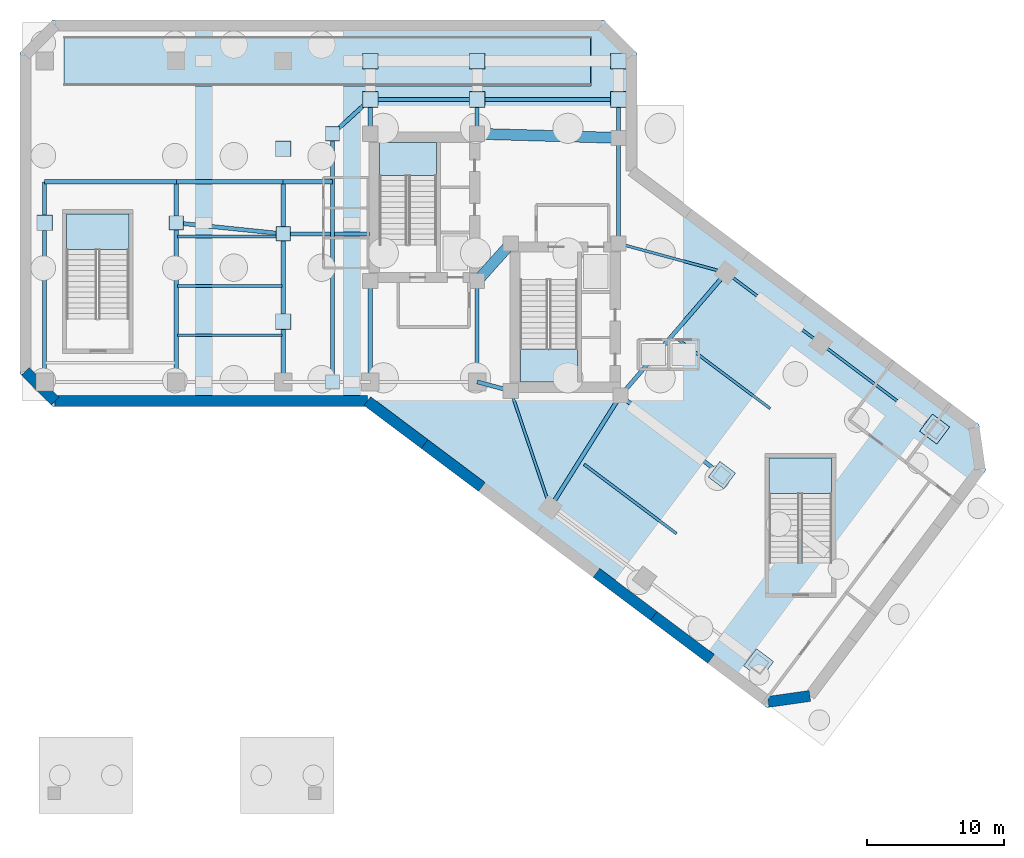
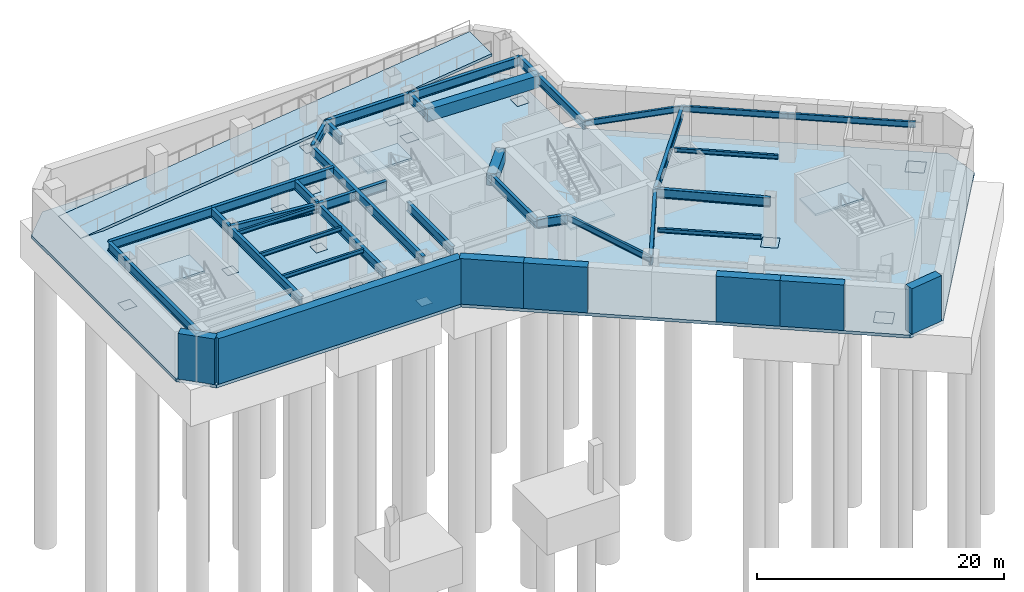
# One storey, part 2 of 9: 34 beams, 16 plates, 7 walls, 6 slabs, 4 elements without a shape of their own.
"""IFC4 building model written with IfcOpenShell, lengths in metres."""

from ifc_helpers import new_model, si_unit, direction, frame, frame_2d, origin, origin_2d, place, context, subcontext, project, spatial, polyline, rectangle, i_section, outline, extrude, material, layer, layer_set, material_profile, profile_set, type_object, element, aggregate, save


model = new_model("IFC4")

# Units and contexts
model_context = context("Model", 3, precision=1e-05, world=origin(), true_north=direction((0.0, 1.0)))
body_context = subcontext(model_context, "Body", "Model", "MODEL_VIEW")
ifc_project = project(units=[si_unit("LENGTHUNIT", "METRE"), si_unit("AREAUNIT", "SQUARE_METRE"), si_unit("VOLUMEUNIT", "CUBIC_METRE"), si_unit("PLANEANGLEUNIT", "RADIAN"), si_unit("MASSUNIT", "GRAM", prefix="KILO")], contexts=[model_context])

# Site, building, storey
site_placement = place(None, origin())
site = spatial("IfcSite", under=ifc_project, at=site_placement, CompositionType="ELEMENT")
building_placement = place(site_placement, origin())
building = spatial("IfcBuilding", under=site, at=building_placement, Name="Hatsunagi Terrace Concourse", CompositionType="ELEMENT")
storey_placement = place(building_placement, frame((0.0, 0.0, -9.60009765625)))
storey = spatial("IfcBuildingStorey", under=building, at=storey_placement, Name="B02", CompositionType="ELEMENT", Elevation=-9.60009765625)

# Beams
ifc_material_1 = material(Name="Concrete Fc60", Category="concrete")
ifc_material_profile_1 = material_profile(ifc_material_1, rectangle(XDim=0.800048828125, YDim=1.199951171875, at=origin_2d()), Name="RC-800x1200")
ifc_profile_set_1 = profile_set([ifc_material_profile_1], Name="Concrete Fc60")
beam_type_1 = type_object("IfcBeamType", Name="CoreCouplingBeam_RC_800x1200", PredefinedType="BEAM", material=ifc_profile_set_1)
beam_1_placement = place(storey_placement, frame((33.35009765625, 32.550048828125, 3.900146484375), z_axis=(0.665198651008, 0.746666427997, 0.0), x_axis=(-0.746666427997, 0.665198651008, 0.0)))
element("IfcBeam", 1, at=beam_1_placement, inside=storey, type_object=beam_type_1, Name="Beam CB-01 CB-B02-1", PredefinedType="BEAM", context=body_context, shape_type="SweptSolid", body=[
    extrude(rectangle(XDim=0.800048828125, YDim=1.199951171875, at=origin_2d()), origin(), (0.0, 0.0, 1.0), 3.68310546875),
])
beam_2_placement = place(storey_placement, frame((33.35009765625, 43.300048828125, 3.900146484375), z_axis=(0.999575947545, -0.029119153303, 0.0), x_axis=(0.029119153303, 0.999575947545, 0.0)))
element("IfcBeam", 2, at=beam_2_placement, inside=storey, type_object=beam_type_1, Name="Beam CB-01 CB-B02-2", PredefinedType="BEAM", context=body_context, shape_type="SweptSolid", body=[
    extrude(rectangle(XDim=0.800048828125, YDim=1.199951171875, at=origin_2d()), origin(), (0.0, 0.0, 1.0), 10.30419921875),
])
ifc_material_2 = material(Name="Steel SN490B", Category="steel")
ifc_material_profile_2 = material_profile(ifc_material_2, i_section(OverallWidth=0.300048828125, OverallDepth=0.89990234375, WebThickness=0.01611328125, FlangeThickness=0.028076171875, FilletRadius=0.02197265625, at=origin_2d()), Name="H-900x300x16x28")
ifc_profile_set_2 = profile_set([ifc_material_profile_2], Name="Steel SN490B")
beam_type_2 = type_object("IfcBeamType", Name="HeavyRefugeGirder_H_900x300", PredefinedType="BEAM", material=ifc_profile_set_2)
for number, where, z_axis, x_axis, name in (
    (3, (25.550048828125, 25.199951171875, 4.050048828125), (0.0, 1.0, 0.0), (-1.0, 0.0, 0.0), "Beam G-02 BM-B02-K1CA"),
    (4, (33.35009765625, 25.199951171875, 4.050048828125), (0.0, 1.0, 0.0), (-1.0, 0.0, 0.0), "Beam G-02 BM-B02-K2CA"),
):
    element("IfcBeam", number, at=place(storey_placement, frame(where, z_axis=z_axis, x_axis=x_axis)), inside=storey, type_object=beam_type_2, Name=name, PredefinedType="BEAM", context=body_context, shape_type="SweptSolid", body=[
        extrude(i_section(OverallWidth=0.300048828125, OverallDepth=0.89990234375, WebThickness=0.01611328125, FlangeThickness=0.028076171875, FilletRadius=0.02197265625, at=origin_2d()), origin(), (0.0, 0.0, 1.0), 7.35009765625),
    ])
beam_3_placement = place(storey_placement, frame((33.35009765625, 25.199951171875, 4.050048828125), z_axis=(0.966569840116, -0.256403479262, 0.0), x_axis=(0.256403479262, 0.966569840116, 0.0)))
element("IfcBeam", 5, at=beam_3_placement, inside=storey, type_object=beam_type_2, Name="Beam G-02 BM-B02-K2CB", PredefinedType="BEAM", context=body_context, shape_type="SweptSolid", body=[
    extrude(i_section(OverallWidth=0.300048828125, OverallDepth=0.89990234375, WebThickness=0.01611328125, FlangeThickness=0.028076171875, FilletRadius=0.02197265625, at=origin_2d()), origin(), (0.0, 0.0, 1.0), 2.53466796875),
])
beam_4_placement = place(storey_placement, frame((43.64990234375, 35.300048828125, 4.050048828125), z_axis=(0.0, 1.0, 0.0), x_axis=(-1.0, 0.0, 0.0)))
element("IfcBeam", 6, at=beam_4_placement, inside=storey, type_object=beam_type_2, Name="Beam G-02 BM-B02-CBK3", PredefinedType="BEAM", context=body_context, shape_type="SweptSolid", body=[
    extrude(i_section(OverallWidth=0.300048828125, OverallDepth=0.89990234375, WebThickness=0.01611328125, FlangeThickness=0.028076171875, FilletRadius=0.02197265625, at=origin_2d()), origin(), (0.0, 0.0, 1.0), 7.699951171875),
])
for number, where, z_axis, x_axis, name in (
    (7, (25.550048828125, 43.300048828125, 4.050048828125), (0.0, 1.0, 0.0), (-1.0, 0.0, 0.0), "Beam G-02 BM-B02-CN1"),
    (8, (33.35009765625, 43.300048828125, 4.050048828125), (0.0, 1.0, 0.0), (-1.0, 0.0, 0.0), "Beam G-02 BM-B02-CN2"),
):
    element("IfcBeam", number, at=place(storey_placement, frame(where, z_axis=z_axis, x_axis=x_axis)), inside=storey, type_object=beam_type_2, Name=name, PredefinedType="BEAM", context=body_context, shape_type="SweptSolid", body=[
        extrude(i_section(OverallWidth=0.300048828125, OverallDepth=0.89990234375, WebThickness=0.01611328125, FlangeThickness=0.028076171875, FilletRadius=0.02197265625, at=origin_2d()), origin(), (0.0, 0.0, 1.0), 2.5),
    ])
beam_5_placement = place(storey_placement, frame((43.64990234375, 43.0, 4.050048828125), z_axis=(0.0, 1.0, 0.0), x_axis=(-1.0, 0.0, 0.0)))
element("IfcBeam", 9, at=beam_5_placement, inside=storey, type_object=beam_type_2, Name="Beam G-02 BM-B02-CN3", PredefinedType="BEAM", context=body_context, shape_type="SweptSolid", body=[
    extrude(i_section(OverallWidth=0.300048828125, OverallDepth=0.89990234375, WebThickness=0.01611328125, FlangeThickness=0.028076171875, FilletRadius=0.02197265625, at=origin_2d()), origin(), (0.0, 0.0, 1.0), 2.800048828125),
])
beam_6_placement = place(storey_placement, frame((25.550048828125, 45.800048828125, 4.050048828125), z_axis=(1.0, 0.0, 0.0), x_axis=(0.0, 1.0, 0.0)))
element("IfcBeam", 10, at=beam_6_placement, inside=storey, type_object=beam_type_2, Name="Beam G-02 BM-B02-CNEW1", PredefinedType="BEAM", context=body_context, shape_type="SweptSolid", body=[
    extrude(i_section(OverallWidth=0.300048828125, OverallDepth=0.89990234375, WebThickness=0.01611328125, FlangeThickness=0.028076171875, FilletRadius=0.02197265625, at=origin_2d()), origin(), (0.0, 0.0, 1.0), 7.800048828125),
])
beam_7_placement = place(storey_placement, frame((33.35009765625, 45.800048828125, 4.050048828125), z_axis=(1.0, 0.0, 0.0), x_axis=(0.0, 1.0, 0.0)))
element("IfcBeam", 11, at=beam_7_placement, inside=storey, type_object=beam_type_2, Name="Beam G-02 BM-B02-CNEW2", PredefinedType="BEAM", context=body_context, shape_type="SweptSolid", body=[
    extrude(i_section(OverallWidth=0.300048828125, OverallDepth=0.89990234375, WebThickness=0.01611328125, FlangeThickness=0.028076171875, FilletRadius=0.02197265625, at=origin_2d()), origin(), (0.0, 0.0, 1.0), 10.2998046875),
])
beam_8_placement = place(storey_placement, frame((22.800048828125, 25.199951171875, 4.050048828125), z_axis=(0.0, 1.0, 0.0), x_axis=(-1.0, 0.0, 0.0)))
element("IfcBeam", 12, at=beam_8_placement, inside=storey, type_object=beam_type_2, Name="Beam G-02 BM-B02-CWNS", PredefinedType="BEAM", context=body_context, shape_type="SweptSolid", body=[
    extrude(i_section(OverallWidth=0.300048828125, OverallDepth=0.89990234375, WebThickness=0.01611328125, FlangeThickness=0.028076171875, FilletRadius=0.02197265625, at=origin_2d()), origin(), (0.0, 0.0, 1.0), 18.10009765625),
])
beam_9_placement = place(storey_placement, frame((22.800048828125, 43.300048828125, 4.050048828125), z_axis=(0.739940073396, 0.672672793996, 0.0), x_axis=(-0.672672793996, 0.739940073396, 0.0)))
element("IfcBeam", 13, at=beam_9_placement, inside=storey, type_object=beam_type_2, Name="Beam G-02 BM-B02-CWEW-N", PredefinedType="BEAM", context=body_context, shape_type="SweptSolid", body=[
    extrude(i_section(OverallWidth=0.300048828125, OverallDepth=0.89990234375, WebThickness=0.01611328125, FlangeThickness=0.028076171875, FilletRadius=0.02197265625, at=origin_2d()), origin(), (0.0, 0.0, 1.0), 3.716552734375),
])
beam_10_placement = place(storey_placement, frame((1.800048828125, 39.800048828125, 4.050048828125), z_axis=(1.0, 0.0, 0.0), x_axis=(0.0, 1.0, 0.0)))
element("IfcBeam", 14, at=beam_10_placement, inside=storey, type_object=beam_type_2, Name="Beam G-02 BM-B02-RTRIM-1", PredefinedType="BEAM", context=body_context, shape_type="SweptSolid", body=[
    extrude(i_section(OverallWidth=0.300048828125, OverallDepth=0.89990234375, WebThickness=0.01611328125, FlangeThickness=0.028076171875, FilletRadius=0.02197265625, at=origin_2d()), origin(), (0.0, 0.0, 1.0), 9.599853515625),
])
beam_11_placement = place(storey_placement, frame((11.39990234375, 39.800048828125, 4.050048828125), z_axis=(1.0, 0.0, 0.0), x_axis=(0.0, 1.0, 0.0)))
element("IfcBeam", 15, at=beam_11_placement, inside=storey, type_object=beam_type_2, Name="Beam G-02 BM-B02-RTRIM-2", PredefinedType="BEAM", context=body_context, shape_type="SweptSolid", body=[
    extrude(i_section(OverallWidth=0.300048828125, OverallDepth=0.89990234375, WebThickness=0.01611328125, FlangeThickness=0.028076171875, FilletRadius=0.02197265625, at=origin_2d()), origin(), (0.0, 0.0, 1.0), 7.800048828125),
])
beam_12_placement = place(storey_placement, frame((19.199951171875, 39.800048828125, 4.050048828125), z_axis=(1.0, 0.0, 0.0), x_axis=(0.0, 1.0, 0.0)))
element("IfcBeam", 16, at=beam_12_placement, inside=storey, type_object=beam_type_2, Name="Beam G-02 BM-B02-RTRIM-3", PredefinedType="BEAM", context=body_context, shape_type="SweptSolid", body=[
    extrude(i_section(OverallWidth=0.300048828125, OverallDepth=0.89990234375, WebThickness=0.01611328125, FlangeThickness=0.028076171875, FilletRadius=0.02197265625, at=origin_2d()), origin(), (0.0, 0.0, 1.0), 3.60009765625),
])
for number, where, z_axis, x_axis, name in (
    (17, (1.800048828125, 25.199951171875, 4.050048828125), (0.0, 1.0, 0.0), (-1.0, 0.0, 0.0), "Beam G-02 BM-B02-RNS-1"),
    (18, (11.39990234375, 25.199951171875, 4.050048828125), (0.0, 1.0, 0.0), (-1.0, 0.0, 0.0), "Beam G-02 BM-B02-RNS-11"),
    (19, (19.199951171875, 25.199951171875, 4.050048828125), (0.0, 1.0, 0.0), (-1.0, 0.0, 0.0), "Beam G-02 BM-B02-RNS-19"),
):
    element("IfcBeam", number, at=place(storey_placement, frame(where, z_axis=z_axis, x_axis=x_axis)), inside=storey, type_object=beam_type_2, Name=name, PredefinedType="BEAM", context=body_context, shape_type="SweptSolid", body=[
        extrude(i_section(OverallWidth=0.300048828125, OverallDepth=0.89990234375, WebThickness=0.01611328125, FlangeThickness=0.028076171875, FilletRadius=0.02197265625, at=origin_2d()), origin(), (0.0, 0.0, 1.0), 14.60009765625),
    ])
beam_13_placement = place(storey_placement, frame((11.39990234375, 36.800048828125, 4.050048828125), z_axis=(0.994780871372, -0.102034395927, 0.0), x_axis=(0.102034395927, 0.994780871372, 0.0)))
element("IfcBeam", 20, at=beam_13_placement, inside=storey, type_object=beam_type_2, Name="Beam G-02 BM-B02-EW-2", PredefinedType="BEAM", context=body_context, shape_type="SweptSolid", body=[
    extrude(i_section(OverallWidth=0.300048828125, OverallDepth=0.89990234375, WebThickness=0.01611328125, FlangeThickness=0.028076171875, FilletRadius=0.02197265625, at=origin_2d()), origin(), (0.0, 0.0, 1.0), 7.841064453125),
])
beam_14_placement = place(storey_placement, frame((19.199951171875, 36.0, 4.050048828125), z_axis=(1.0, 0.0, 0.0), x_axis=(0.0, 1.0, 0.0)))
element("IfcBeam", 21, at=beam_14_placement, inside=storey, type_object=beam_type_2, Name="Beam G-02 BM-B02-EW-3", PredefinedType="BEAM", context=body_context, shape_type="SweptSolid", body=[
    extrude(i_section(OverallWidth=0.300048828125, OverallDepth=0.89990234375, WebThickness=0.01611328125, FlangeThickness=0.028076171875, FilletRadius=0.02197265625, at=origin_2d()), origin(), (0.0, 0.0, 1.0), 3.449951171875),
])
beam_15_placement = place(storey_placement, frame((22.949951171875, 36.0, 4.050048828125), z_axis=(1.0, 0.0, 0.0), x_axis=(0.0, 1.0, 0.0)))
element("IfcBeam", 22, at=beam_15_placement, inside=storey, type_object=beam_type_2, Name="Beam G-02 BM-B02-EW-4", PredefinedType="BEAM", context=body_context, shape_type="SweptSolid", body=[
    extrude(i_section(OverallWidth=0.300048828125, OverallDepth=0.89990234375, WebThickness=0.01611328125, FlangeThickness=0.028076171875, FilletRadius=0.02197265625, at=origin_2d()), origin(), (0.0, 0.0, 1.0), 2.56005859375),
])
beam_16_placement = place(storey_placement, frame((38.679931640625, 16.0400390625, 4.050048828125), z_axis=(0.531503907049, 0.847055840421, 0.0), x_axis=(-0.847055840421, 0.531503907049, 0.0)))
element("IfcBeam", 23, at=beam_16_placement, inside=storey, type_object=beam_type_2, Name="Beam G-02 BM-B02-SET-1A", PredefinedType="BEAM", context=body_context, shape_type="SweptSolid", body=[
    extrude(i_section(OverallWidth=0.300048828125, OverallDepth=0.89990234375, WebThickness=0.01611328125, FlangeThickness=0.028076171875, FilletRadius=0.02197265625, at=origin_2d()), origin(), (0.0, 0.0, 1.0), 9.63330078125),
])
beam_17_placement = place(storey_placement, frame((43.800048828125, 24.199951171875, 4.050048828125), z_axis=(0.652739101421, 0.757582777969, 0.0), x_axis=(-0.757582777969, 0.652739101421, 0.0)))
element("IfcBeam", 24, at=beam_17_placement, inside=storey, type_object=beam_type_2, Name="Beam G-02 BM-B02-SET-1B", PredefinedType="BEAM", context=body_context, shape_type="SweptSolid", body=[
    extrude(i_section(OverallWidth=0.300048828125, OverallDepth=0.89990234375, WebThickness=0.01611328125, FlangeThickness=0.028076171875, FilletRadius=0.02197265625, at=origin_2d()), origin(), (0.0, 0.0, 1.0), 11.8271484375),
])
beam_18_placement = place(storey_placement, frame((43.800048828125, 24.199951171875, 4.050048828125), z_axis=(0.787049441068, -0.616889923175, 0.0), x_axis=(0.616889923175, 0.787049441068, 0.0)))
element("IfcBeam", 25, at=beam_18_placement, inside=storey, type_object=beam_type_2, Name="Beam G-02 BM-B02-SE-M2", PredefinedType="BEAM", context=body_context, shape_type="SweptSolid", body=[
    extrude(i_section(OverallWidth=0.300048828125, OverallDepth=0.89990234375, WebThickness=0.01611328125, FlangeThickness=0.028076171875, FilletRadius=0.02197265625, at=origin_2d()), origin(), (0.0, 0.0, 1.0), 9.402099609375),
])
ifc_material_3 = material(Name="Steel SN490B", Category="steel")
ifc_material_profile_3 = material_profile(ifc_material_3, i_section(OverallWidth=0.199951171875, OverallDepth=0.60009765625, WebThickness=0.010986328125, FlangeThickness=0.01708984375, FilletRadius=0.01806640625, at=origin_2d()), Name="H-600x200x11x17")
ifc_profile_set_3 = profile_set([ifc_material_profile_3], Name="Steel SN490B")
beam_type_3 = type_object("IfcBeamType", Name="PerimeterSpandrel_H_600x200", PredefinedType="SPANDREL", material=ifc_profile_set_3)
beam_19_placement = place(storey_placement, frame((35.800048828125, 24.550048828125, 4.2001953125), z_axis=(0.320553412271, -0.947230441805, 0.0), x_axis=(0.947230441805, 0.320553412271, 0.0)))
element("IfcBeam", 26, at=beam_19_placement, inside=storey, type_object=beam_type_3, Name="Beam SP-01 BM-B02-SE-SW0", PredefinedType="SPANDREL", context=body_context, shape_type="SweptSolid", body=[
    extrude(i_section(OverallWidth=0.199951171875, OverallDepth=0.60009765625, WebThickness=0.010986328125, FlangeThickness=0.01708984375, FilletRadius=0.01806640625, at=origin_2d()), origin(), (0.0, 0.0, 1.0), 8.984130859375),
])
beam_20_placement = place(storey_placement, frame((43.64990234375, 35.300048828125, 4.2001953125), z_axis=(0.964958359286, -0.262403057994, 0.0), x_axis=(0.262403057994, 0.964958359286, 0.0)))
element("IfcBeam", 27, at=beam_20_placement, inside=storey, type_object=beam_type_3, Name="Beam SP-01 BM-B02-SE-NE0", PredefinedType="SPANDREL", context=body_context, shape_type="SweptSolid", body=[
    extrude(i_section(OverallWidth=0.199951171875, OverallDepth=0.60009765625, WebThickness=0.010986328125, FlangeThickness=0.01708984375, FilletRadius=0.01806640625, at=origin_2d()), origin(), (0.0, 0.0, 1.0), 8.156005859375),
])
beam_21_placement = place(storey_placement, frame((51.52001953125, 33.159912109375, 4.2001953125), z_axis=(0.8, -0.6, 0.0), x_axis=(0.6, 0.8, 0.0)))
element("IfcBeam", 28, at=beam_21_placement, inside=storey, type_object=beam_type_3, Name="Beam SP-01 BM-B02-SE-NE2", PredefinedType="SPANDREL", context=body_context, shape_type="SweptSolid", body=[
    extrude(i_section(OverallWidth=0.199951171875, OverallDepth=0.60009765625, WebThickness=0.010986328125, FlangeThickness=0.01708984375, FilletRadius=0.01806640625, at=origin_2d()), origin(), (0.0, 0.0, 1.0), 8.599853515625),
])
beam_22_placement = place(storey_placement, frame((58.39990234375, 28.0, 4.2001953125), z_axis=(0.800002816985, -0.599996244001, 0.0), x_axis=(0.599996244001, 0.800002816985, 0.0)))
element("IfcBeam", 29, at=beam_22_placement, inside=storey, type_object=beam_type_3, Name="Beam SP-01 BM-B02-SE-NE3", PredefinedType="SPANDREL", context=body_context, shape_type="SweptSolid", body=[
    extrude(i_section(OverallWidth=0.199951171875, OverallDepth=0.60009765625, WebThickness=0.010986328125, FlangeThickness=0.01708984375, FilletRadius=0.01806640625, at=origin_2d()), origin(), (0.0, 0.0, 1.0), 10.400146484375),
])
ifc_material_4 = material(Name="Steel SN490B", Category="steel")
ifc_material_profile_4 = material_profile(ifc_material_4, i_section(OverallWidth=0.199951171875, OverallDepth=0.39990234375, WebThickness=0.008056640625, FlangeThickness=0.012939453125, FilletRadius=0.012939453125, at=origin_2d()), Name="H-400x200x8x13")
ifc_profile_set_4 = profile_set([ifc_material_profile_4], Name="Steel SN490B")
beam_type_4 = type_object("IfcBeamType", Name="PodiumJoist_H_400x200", PredefinedType="JOIST", material=ifc_profile_set_4)
for number, where, z_axis, x_axis, name in (
    (30, (11.485107421875, 28.60009765625, 4.300048828125), (1.0, 0.0, 0.0), (0.0, 1.0, 0.0), "Beam J-01 J-B02-W-11-286"),
    (31, (11.485107421875, 32.199951171875, 4.300048828125), (1.0, 0.0, 0.0), (0.0, 1.0, 0.0), "Beam J-01 J-B02-W-11-322"),
    (32, (11.485107421875, 35.800048828125, 4.300048828125), (1.0, 0.0, 0.0), (0.0, 1.0, 0.0), "Beam J-01 J-B02-W-11-358"),
):
    element("IfcBeam", number, at=place(storey_placement, frame(where, z_axis=z_axis, x_axis=x_axis)), inside=storey, type_object=beam_type_4, Name=name, PredefinedType="JOIST", context=body_context, shape_type="SweptSolid", body=[
        extrude(i_section(OverallWidth=0.199951171875, OverallDepth=0.39990234375, WebThickness=0.008056640625, FlangeThickness=0.012939453125, FilletRadius=0.012939453125, at=origin_2d()), origin(), (0.0, 0.0, 1.0), 7.6298828125),
    ])
for number, where, z_axis, x_axis, name in (
    (33, (41.14794921875, 19.18896484375, 4.300048828125), (0.800013900983, -0.599981464909, 0.0), (0.599981464909, 0.800013900983, 0.0), "Beam J-01 J-B02-SE-2-62"),
    (34, (47.988037109375, 28.30908203125, 4.300048828125), (0.799989573921, -0.600013901187, 0.0), (0.600013901187, 0.799989573921, 0.0), "Beam J-01 J-B02-SE-2-176"),
):
    element("IfcBeam", number, at=place(storey_placement, frame(where, z_axis=z_axis, x_axis=x_axis)), inside=storey, type_object=beam_type_4, Name=name, PredefinedType="JOIST", context=body_context, shape_type="SweptSolid", body=[
        extrude(i_section(OverallWidth=0.199951171875, OverallDepth=0.39990234375, WebThickness=0.008056640625, FlangeThickness=0.012939453125, FilletRadius=0.012939453125, at=origin_2d()), origin(), (0.0, 0.0, 1.0), 8.429931640625),
    ])

# Slab
ifc_material_5 = material(Name="Concrete Fc42", Category="concrete")
ifc_layer_1 = layer(ifc_material_5, 0.300048828125)
ifc_layer_set_1 = layer_set([ifc_layer_1], Name="BasementBaseSlab_Fc42_300")
slab_type_1 = type_object("IfcSlabType", Name="BasementBaseSlab_Fc42_300", PredefinedType="BASESLAB", material=ifc_layer_set_1)
slab_1_placement = place(storey_placement, frame((0.0, 0.0, -0.2998046875)))
element("IfcSlab", 35, at=slab_1_placement, inside=storey, type_object=slab_type_1, Name="Floor Slab SL-B300 B02", PredefinedType="BASESLAB", context=body_context, shape_type="SweptSolid", body=[
    extrude(outline(polyline([(45.0, 40.800048828125), (45.0, 49.199951171875), (42.60009765625, 51.60009765625), (2.39990234375, 51.60009765625), (0.0, 49.199951171875), (0.0, 25.800048828125), (2.39990234375, 23.39990234375), (25.199951171875, 23.39990234375), (54.47998046875, 1.43994140625), (57.840087890625, 1.919921875), (70.43994140625, 18.719970703125), (69.9599609375, 22.080078125), (45.0, 40.800048828125)])), origin(), (0.0, 0.0, 1.0), 0.2998046875),
])

# Plates
ifc_material_6 = material(Name="Steel SN490C", Category="steel")
ifc_layer_2 = layer(ifc_material_6, 0.031982421875)
ifc_layer_set_2 = layer_set([ifc_layer_2], Name="ColumnEndCapPlate_32")
plate_type = type_object("IfcPlateType", Name="ColumnEndCapPlate_32", PredefinedType="USERDEFINED", material=ifc_layer_set_2)
for number, where, z_axis, x_axis, name in (
    (36, (25.550048828125, 45.800048828125, -0.03173828125), (0.0, 0.0, 1.0), (1.0, 0.0, 0.0), "Hollow Column Base Cap Plate GP-03 B02-CN1"),
    (37, (33.35009765625, 45.800048828125, -0.03173828125), (0.0, 0.0, 1.0), (1.0, 0.0, 0.0), "Hollow Column Base Cap Plate GP-03 B02-CN2"),
    (38, (43.64990234375, 45.800048828125, -0.03173828125), (0.0, 0.0, 1.0), (1.0, 0.0, 0.0), "Hollow Column Base Cap Plate GP-03 B02-CN3"),
    (39, (1.800048828125, 36.800048828125, -0.03173828125), (0.0, 0.0, 1.0), (1.0, 0.0, 0.0), "Hollow Column Base Cap Plate GP-03 B02-WM0"),
    (40, (25.550048828125, 48.60009765625, -0.03173828125), (0.0, 0.0, 1.0), (1.0, 0.0, 0.0), "Hollow Column Base Cap Plate GP-03 B02-WN4"),
    (41, (33.35009765625, 48.60009765625, -0.03173828125), (0.0, 0.0, 1.0), (1.0, 0.0, 0.0), "Hollow Column Base Cap Plate GP-03 B02-WN5"),
    (42, (43.64990234375, 48.60009765625, -0.03173828125), (0.0, 0.0, 1.0), (1.0, 0.0, 0.0), "Hollow Column Base Cap Plate GP-03 B02-WN6"),
    (43, (19.199951171875, 29.60009765625, -0.03173828125), (0.0, 0.0, 1.0), (1.0, 0.0, 0.0), "Hollow Column Base Cap Plate GP-03 B02-WR1"),
    (44, (19.199951171875, 42.199951171875, -0.03173828125), (0.0, 0.0, 1.0), (1.0, 0.0, 0.0), "Hollow Column Base Cap Plate GP-03 B02-WR2"),
):
    element("IfcPlate", number, at=place(storey_placement, frame(where, z_axis=z_axis, x_axis=x_axis)), inside=storey, type_object=plate_type, Name=name, ObjectType="GUSSET_PLATE", PredefinedType="USERDEFINED", context=body_context, shape_type="SweptSolid", body=[
        extrude(rectangle(XDim=1.139892578125, YDim=1.139892578125, at=origin_2d()), origin(), (0.0, 0.0, 1.0), 0.031982421875),
    ])
for number, where, z_axis, x_axis, name in (
    (45, (22.800048828125, 25.199951171875, -0.03173828125), (0.0, 0.0, 1.0), (1.0, 0.0, 0.0), "Hollow Column Base Cap Plate GP-03 B02-CW1"),
    (46, (22.800048828125, 43.300048828125, -0.03173828125), (0.0, 0.0, 1.0), (1.0, 0.0, 0.0), "Hollow Column Base Cap Plate GP-03 B02-CW2"),
    (47, (11.39990234375, 36.800048828125, -0.03173828125), (0.0, 0.0, 1.0), (1.0, 0.0, 0.0), "Hollow Column Base Cap Plate GP-03 B02-WT1"),
    (48, (19.199951171875, 36.0, -0.03173828125), (0.0, 0.0, 1.0), (1.0, 0.0, 0.0), "Hollow Column Base Cap Plate GP-03 B02-WT2"),
):
    element("IfcPlate", number, at=place(storey_placement, frame(where, z_axis=z_axis, x_axis=x_axis)), inside=storey, type_object=plate_type, Name=name, ObjectType="GUSSET_PLATE", PredefinedType="USERDEFINED", context=body_context, shape_type="SweptSolid", body=[
        extrude(rectangle(XDim=1.0400390625, YDim=1.0400390625, at=origin_2d()), origin(), (0.0, 0.0, 1.0), 0.031982421875),
    ])
plate_placement = place(storey_placement, frame((51.199951171875, 18.39990234375, -0.03173828125), z_axis=(0.0, 0.0, 1.0), x_axis=(0.799999996291, -0.600000004945, 0.0)))
element("IfcPlate", 49, at=plate_placement, inside=storey, type_object=plate_type, Name="Hollow Column Base Cap Plate GP-03 B02-SEM2", ObjectType="GUSSET_PLATE", PredefinedType="USERDEFINED", context=body_context, shape_type="SweptSolid", body=[
    extrude(rectangle(XDim=1.419921875, YDim=1.419921875, at=origin_2d()), origin(), (0.0, 0.0, 1.0), 0.031982421875),
])
for number, where, z_axis, x_axis, name in (
    (50, (53.8798828125, 4.639892578125, -0.03173828125), (0.0, 0.0, 1.0), (0.799999996291, -0.600000004945, 0.0), "Hollow Column Base Cap Plate GP-03 B02-SES3"),
    (51, (66.719970703125, 21.760009765625, -0.03173828125), (0.0, 0.0, 1.0), (0.799999996291, -0.600000004945, 0.0), "Hollow Column Base Cap Plate GP-03 B02-SEN3"),
):
    element("IfcPlate", number, at=place(storey_placement, frame(where, z_axis=z_axis, x_axis=x_axis)), inside=storey, type_object=plate_type, Name=name, ObjectType="GUSSET_PLATE", PredefinedType="USERDEFINED", context=body_context, shape_type="SweptSolid", body=[
        extrude(rectangle(XDim=1.56201171875, YDim=1.56201171875, at=origin_2d()), origin(), (0.0, 0.0, 1.0), 0.031982421875),
    ])

# Stair, slab
ifc_material_7 = material(Name="Concrete Fc42", Category="concrete")
stair_type_1 = type_object("IfcStairType", Name="DoglegExitStair_Podium2200_28R_171", PredefinedType="HALF_TURN_STAIR", material=ifc_material_7)
stair_1_placement = place(storey_placement, origin())
stair_1 = element("IfcStair", 52, at=stair_1_placement, inside=storey, type_object=stair_type_1, Name="B02 West Podium Convention Exit Stair ST-P1", PredefinedType="HALF_TURN_STAIR")
ifc_material_8 = material(Name="Concrete Fc42", Category="concrete")
ifc_layer_3 = layer(ifc_material_8, 0.199951171875)
ifc_layer_set_3 = layer_set([ifc_layer_3], Name="DoglegStairLanding_Podium2200")
slab_type_2 = type_object("IfcSlabType", Name="DoglegStairLanding_Podium2200", PredefinedType="LANDING", material=ifc_layer_set_3)
slab_2_placement = place(storey_placement, frame((0.0, 0.0, 2.2001953125)))
slab_2 = element("IfcSlab", 53, at=slab_2_placement, type_object=slab_type_2, Name="ST-P1 landing 1", PredefinedType="LANDING", context=body_context, shape_type="SweptSolid", body=[
    extrude(outline(polyline([(7.949951171875, 34.8701171875), (7.949951171875, 37.4599609375), (3.39990234375, 37.4599609375), (3.39990234375, 34.8701171875), (7.949951171875, 34.8701171875)])), origin(), (0.0, 0.0, 1.0), 0.199951171875),
])
aggregate(stair_1, [slab_2])

stair_2_placement = place(storey_placement, origin())
stair_2 = element("IfcStair", 54, at=stair_2_placement, inside=storey, type_object=stair_type_1, Name="B02 Southeast Podium Ballroom Exit Stair ST-P2", PredefinedType="HALF_TURN_STAIR")
slab_3_placement = place(storey_placement, frame((0.0, 0.0, 2.2001953125)))
slab_3 = element("IfcSlab", 55, at=slab_3_placement, type_object=slab_type_2, Name="ST-P2 landing 1", PredefinedType="LANDING", context=body_context, shape_type="SweptSolid", body=[
    extrude(outline(polyline([(59.199951171875, 17.070068359375), (59.199951171875, 19.659912109375), (54.64990234375, 19.659912109375), (54.64990234375, 17.070068359375), (59.199951171875, 17.070068359375)])), origin(), (0.0, 0.0, 1.0), 0.199951171875),
])
aggregate(stair_2, [slab_3])

ifc_material_9 = material(Name="Concrete Fc42", Category="concrete")
stair_type_2 = type_object("IfcStairType", Name="DoglegExitStair_Tower2000_28R_171", PredefinedType="HALF_TURN_STAIR", material=ifc_material_9)
stair_3_placement = place(storey_placement, origin())
stair_3 = element("IfcStair", 56, at=stair_3_placement, inside=storey, type_object=stair_type_2, Name="B02 Core A Protected Exit Stair ST-A", PredefinedType="HALF_TURN_STAIR")
ifc_material_10 = material(Name="Concrete Fc42", Category="concrete")
ifc_layer_4 = layer(ifc_material_10, 0.199951171875)
ifc_layer_set_4 = layer_set([ifc_layer_4], Name="DoglegStairLanding_Tower2000")
slab_type_3 = type_object("IfcSlabType", Name="DoglegStairLanding_Tower2000", PredefinedType="LANDING", material=ifc_layer_set_4)
slab_4_placement = place(storey_placement, frame((0.0, 0.0, 2.2001953125)))
slab_4 = element("IfcSlab", 57, at=slab_4_placement, type_object=slab_type_3, Name="ST-A landing 1", PredefinedType="LANDING", context=body_context, shape_type="SweptSolid", body=[
    extrude(outline(polyline([(30.3798828125, 40.27001953125), (30.3798828125, 42.659912109375), (26.22998046875, 42.659912109375), (26.22998046875, 40.27001953125), (30.3798828125, 40.27001953125)])), origin(), (0.0, 0.0, 1.0), 0.199951171875),
])
aggregate(stair_3, [slab_4])

stair_4_placement = place(storey_placement, origin())
stair_4 = element("IfcStair", 58, at=stair_4_placement, inside=storey, type_object=stair_type_2, Name="B02 Core B Protected Exit Stair ST-B", PredefinedType="HALF_TURN_STAIR")
slab_5_placement = place(storey_placement, frame((0.0, 0.0, 2.2001953125)))
slab_5 = element("IfcSlab", 59, at=slab_5_placement, type_object=slab_type_3, Name="ST-B landing 1", PredefinedType="LANDING", context=body_context, shape_type="SweptSolid", body=[
    extrude(outline(polyline([(36.5, 27.590087890625), (36.5, 25.199951171875), (40.64990234375, 25.199951171875), (40.64990234375, 27.590087890625), (36.5, 27.590087890625)])), origin(), (0.0, 0.0, 1.0), 0.199951171875),
])
aggregate(stair_4, [slab_5])

# Slab
ifc_material_11 = material(Name="Concrete Fc42", Category="concrete")
ifc_layer_5 = layer(ifc_material_11, 0.280029296875)
ifc_layer_set_5 = layer_set([ifc_layer_5], Name="VehicleRampStructuralSlab-Concrete-Fc42-280")
slab_type_4 = type_object("IfcSlabType", Name="VehicleRampStructuralSlab-Concrete-Fc42-280", PredefinedType="FLOOR", material=ifc_layer_set_5)
slab_6_placement = place(storey_placement, frame((3.199951171875, 46.800048828125, 0.0), z_axis=(-0.124035511046, 0.0, 0.992277779656), x_axis=(0.992277779656, 0.0, 0.124035511046)))
element("IfcSlab", 60, at=slab_6_placement, inside=storey, type_object=slab_type_4, Name="Car Park Vehicle Ramp R1 Structural Slab Concrete Fc42 B02-B01", PredefinedType="FLOOR", context=body_context, shape_type="SweptSolid", body=[
    extrude(outline(polyline([(0.0, 0.0), (38.69898860143301, 0.0), (38.69898860143301, 3.599853515625001), (0.0, 3.599853515625001), (0.0, 0.0)])), origin(), (0.0, 0.0, -1.0), 0.280029296875),
])

# Walls
ifc_material_12 = material(Name="Concrete Fc48", Category="concrete")
ifc_layer_6 = layer(ifc_material_12, 0.800048828125)
ifc_layer_set_6 = layer_set([ifc_layer_6], Name="BasementRetainingWall_Fc48_800")
wall_type = type_object("IfcWallType", Name="BasementRetainingWall_Fc48_800", PredefinedType="SHEAR", material=ifc_layer_set_6)
wall_1_placement = place(storey_placement, frame((57.618896484375, 2.29296875, 0.0), z_axis=(0.0, 0.0, 1.0), x_axis=(-0.989906404935, -0.141722649809, 0.0)))
element("IfcWall", 61, at=wall_1_placement, inside=storey, type_object=wall_type, Name="Basement Retaining Wall B02-04", PredefinedType="SHEAR", context=body_context, shape_type="SweptSolid", body=[
    extrude(rectangle(XDim=3.06298828125, YDim=0.800048828125, at=frame_2d((1.531494140625, 0.0))), origin(), (0.0, 0.0, 1.0), 4.5),
])
wall_2_placement = place(storey_placement, frame((50.407958984375, 4.992919921875, 0.0), z_axis=(0.0, 0.0, 1.0), x_axis=(-0.799927090767, 0.600097200008, 0.0)))
element("IfcWall", 62, at=wall_2_placement, inside=storey, type_object=wall_type, Name="Basement Retaining Wall B02-05-2", PredefinedType="SHEAR", context=body_context, shape_type="SweptSolid", body=[
    extrude(rectangle(XDim=5.22412109375, YDim=0.800048828125, at=frame_2d((2.612060546875, 0.0))), origin(), (0.0, 0.0, 1.0), 4.5),
])
wall_3_placement = place(storey_placement, frame((46.22900390625, 8.1279296875, 0.0), z_axis=(0.0, 0.0, 1.0), x_axis=(-0.800016825418, 0.599977565455, 0.0)))
element("IfcWall", 63, at=wall_3_placement, inside=storey, type_object=wall_type, Name="Basement Retaining Wall B02-05-3", PredefinedType="SHEAR", context=body_context, shape_type="SweptSolid", body=[
    extrude(rectangle(XDim=5.2236328125, YDim=0.800048828125, at=frame_2d((2.61181640625, 0.0))), origin(), (0.0, 0.0, 1.0), 4.5),
])
wall_4_placement = place(storey_placement, frame((33.69091796875, 17.531005859375, 0.0), z_axis=(0.0, 0.0, 1.0), x_axis=(-0.799927090767, 0.600097200008, 0.0)))
element("IfcWall", 64, at=wall_4_placement, inside=storey, type_object=wall_type, Name="Basement Retaining Wall B02-05-6", PredefinedType="SHEAR", context=body_context, shape_type="SweptSolid", body=[
    extrude(rectangle(XDim=5.22412109375, YDim=0.800048828125, at=frame_2d((2.612060546875, 0.0))), origin(), (0.0, 0.0, 1.0), 4.5),
])
wall_5_placement = place(storey_placement, frame((29.511962890625, 20.666015625, 0.0), z_axis=(0.0, 0.0, 1.0), x_axis=(-0.800016825418, 0.599977565455, 0.0)))
element("IfcWall", 65, at=wall_5_placement, inside=storey, type_object=wall_type, Name="Basement Retaining Wall B02-05-7", PredefinedType="SHEAR", context=body_context, shape_type="SweptSolid", body=[
    extrude(rectangle(XDim=5.2236328125, YDim=0.800048828125, at=frame_2d((2.61181640625, 0.0))), origin(), (0.0, 0.0, 1.0), 4.5),
])
wall_6_placement = place(storey_placement, frame((25.3330078125, 23.800048828125, 0.0), z_axis=(0.0, 0.0, 1.0), x_axis=(-1.0, 0.0, 0.0)))
element("IfcWall", 66, at=wall_6_placement, inside=storey, type_object=wall_type, Name="Basement Retaining Wall B02-06", PredefinedType="SHEAR", context=body_context, shape_type="SweptSolid", body=[
    extrude(rectangle(XDim=22.76708984375, YDim=0.800048828125, at=frame_2d((11.383544921875, 0.0))), origin(), (0.0, 0.0, 1.0), 4.5),
])
wall_7_placement = place(storey_placement, frame((2.56591796875, 23.800048828125, 0.0), z_axis=(0.0, 0.0, 1.0), x_axis=(-0.707106781187, 0.707106781187, 0.0)))
element("IfcWall", 67, at=wall_7_placement, inside=storey, type_object=wall_type, Name="Basement Retaining Wall B02-07", PredefinedType="SHEAR", context=body_context, shape_type="SweptSolid", body=[
    extrude(rectangle(XDim=3.063232421875, YDim=0.800048828125, at=frame_2d((1.53173828125, 0.0))), origin(), (0.0, 0.0, 1.0), 4.5),
])

save(model, "model.ifc")
